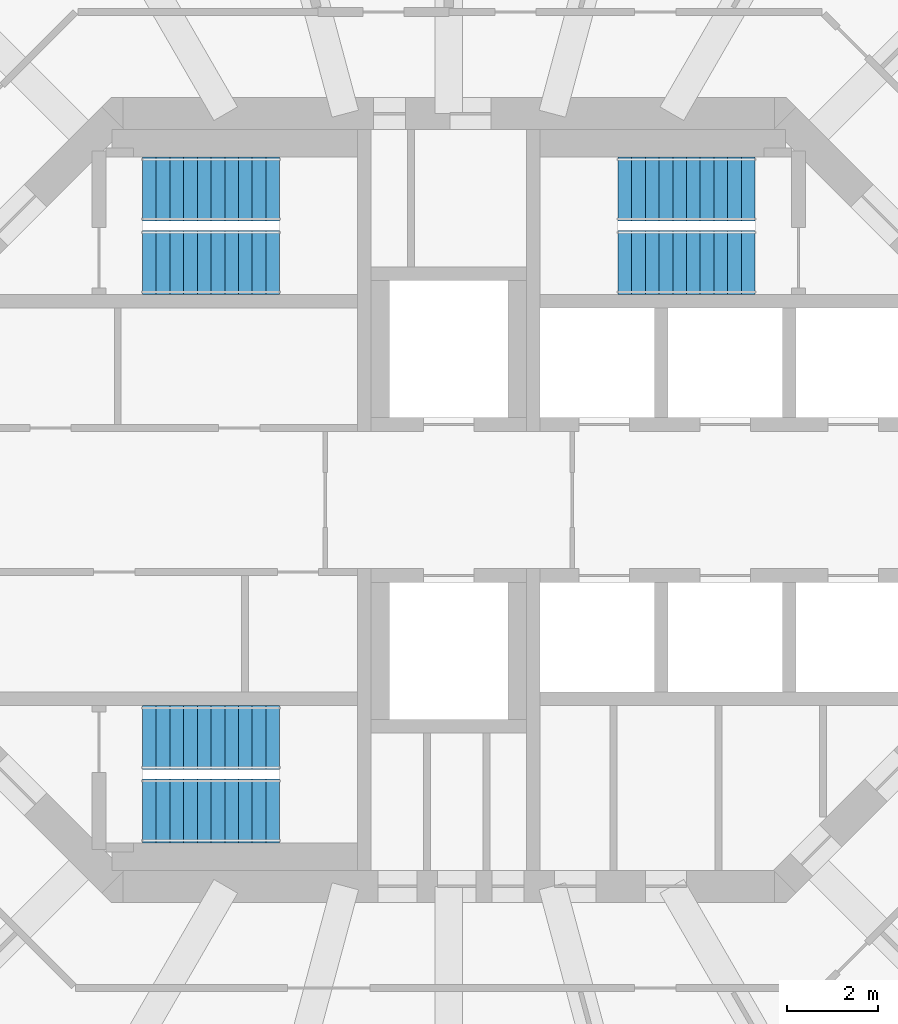
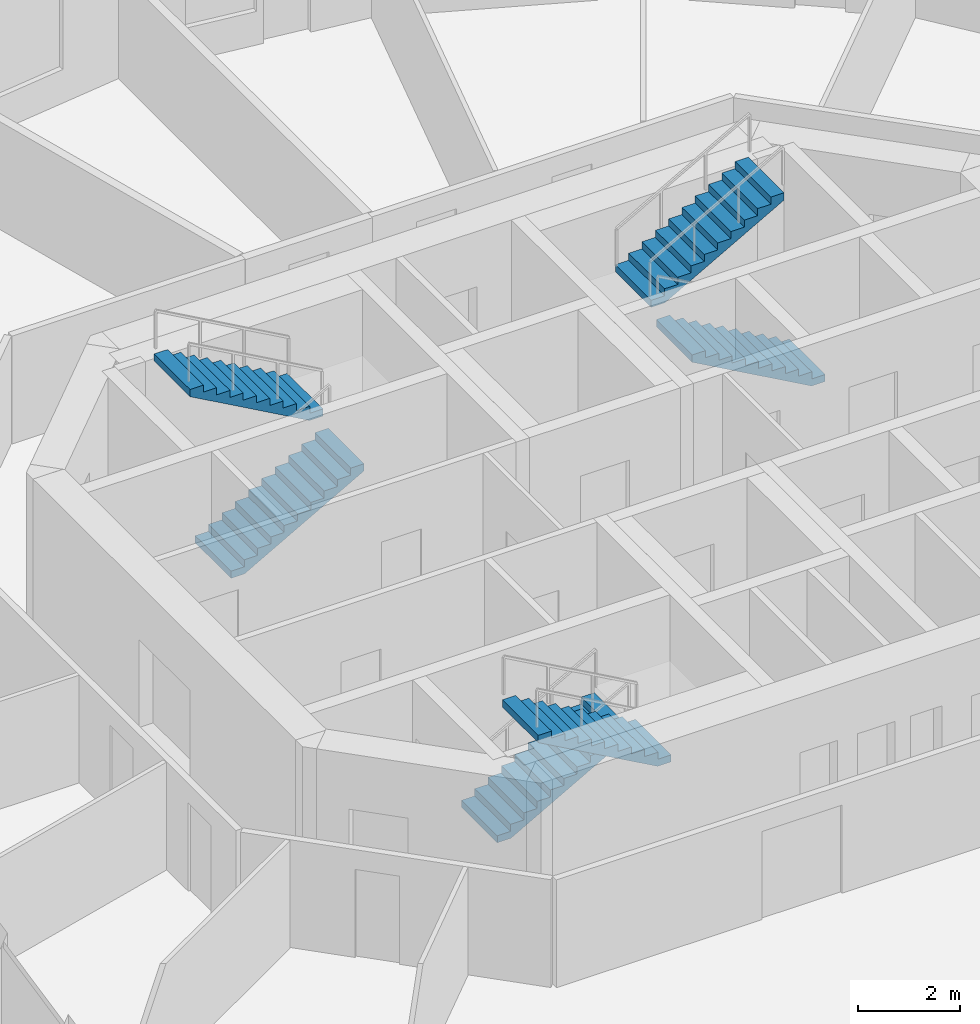
# One storey, part 7 of 9: 6 stair flights, 3 elements without a shape of their own.
"""IFC4 building model written with IfcOpenShell, lengths in metres."""

from ifc_helpers import new_model, si_unit, direction, frame, origin, place, context, subcontext, project, spatial, polyline, outline, extrude, material, type_object, element, aggregate, save


model = new_model("IFC4")

# Units and contexts
model_context = context("Model", 3, precision=1e-05, world=origin(), true_north=direction((0.0, 1.0)))
body_context = subcontext(model_context, "Body", "Model", "MODEL_VIEW")
ifc_project = project(units=[si_unit("LENGTHUNIT", "METRE"), si_unit("AREAUNIT", "SQUARE_METRE"), si_unit("VOLUMEUNIT", "CUBIC_METRE"), si_unit("PLANEANGLEUNIT", "RADIAN"), si_unit("MASSUNIT", "GRAM", prefix="KILO")], contexts=[model_context])

# Site, building, storey
site_placement = place(None, origin())
site = spatial("IfcSite", under=ifc_project, at=site_placement, CompositionType="ELEMENT")
building_placement = place(site_placement, origin())
building = spatial("IfcBuilding", under=site, at=building_placement, Name="Torre Triforio", CompositionType="ELEMENT")
storey_placement = place(building_placement, frame((0.0, 0.0, 229.800048828125)))
storey = spatial("IfcBuildingStorey", under=building, at=storey_placement, Name="L52", CompositionType="ELEMENT", Elevation=229.800048828125)

# Stair, stair flights
ifc_material = material(Name="Concrete C40", Category="concrete")
stair_type = type_object("IfcStairType", Name="STAIR HALF-TURN", PredefinedType="HALF_TURN_STAIR", material=ifc_material)
stair_1_placement = place(storey_placement, origin())
stair_1 = element("IfcStair", 1, at=stair_1_placement, inside=storey, type_object=stair_type, Name="Exit stair 1", PredefinedType="HALF_TURN_STAIR")
stair_flight_type = type_object("IfcStairFlightType", Name="STAIR FLIGHT 1400", PredefinedType="STRAIGHT", material=ifc_material)
stair_flight_1_placement = place(storey_placement, frame((-6.699951171875, 5.199951171875, 0.0), z_axis=(0.0, 0.0, 1.0), x_axis=(1.0, 0.0, 0.0)))
stair_flight_1 = element("IfcStairFlight", 2, at=stair_flight_1_placement, type_object=stair_flight_type, Name="ST1 flight 1", NumberOfRisers=11, NumberOfTreads=10, PredefinedType="STRAIGHT", RiserHeight=0.168181818, TreadLength=0.3, context=body_context, shape_type="SweptSolid", body=[
    extrude(outline(polyline([(0.0, 0.0), (0.0, 0.168212890625), (0.300048828125, 0.168212890625), (0.300048828125, 0.33642578125), (0.60009765625, 0.33642578125), (0.60009765625, 0.504638671875), (0.89990234375, 0.504638671875), (0.89990234375, 0.672607421875), (1.199951171875, 0.672607421875), (1.199951171875, 0.8408203125), (1.5, 0.8408203125), (1.5, 1.009033203125), (1.800048828125, 1.009033203125), (1.800048828125, 1.17724609375), (2.10009765625, 1.17724609375), (2.10009765625, 1.345458984375), (2.39990234375, 1.345458984375), (2.39990234375, 1.513671875), (2.699951171875, 1.513671875), (2.699951171875, 1.681884765625), (3.0, 1.681884765625), (3.0, 1.85009765625), (3.0, 1.510009765625), (0.306640625, 0.0), (0.0, 0.0)])), frame((0.0, 0.699951171875, 0.0), z_axis=(0.0, -1.0, 0.0), x_axis=(1.0, 0.0, 0.0)), (0.0, 0.0, 1.0), 1.39990234375),
])
stair_flight_2_placement = place(storey_placement, frame((-3.699951171875, 6.800048828125, 1.849853515625), z_axis=(0.0, 0.0, 1.0), x_axis=(-1.0, 0.0, 0.0)))
stair_flight_2 = element("IfcStairFlight", 3, at=stair_flight_2_placement, type_object=stair_flight_type, Name="ST1 flight 2", NumberOfRisers=11, NumberOfTreads=10, PredefinedType="STRAIGHT", RiserHeight=0.168181818, TreadLength=0.3, context=body_context, shape_type="SweptSolid", body=[
    extrude(outline(polyline([(0.0, 0.0), (0.0, 0.168212890625), (0.300048828125, 0.168212890625), (0.300048828125, 0.33642578125), (0.60009765625, 0.33642578125), (0.60009765625, 0.504638671875), (0.89990234375, 0.504638671875), (0.89990234375, 0.672607421875), (1.199951171875, 0.672607421875), (1.199951171875, 0.8408203125), (1.5, 0.8408203125), (1.5, 1.009033203125), (1.800048828125, 1.009033203125), (1.800048828125, 1.17724609375), (2.10009765625, 1.17724609375), (2.10009765625, 1.345458984375), (2.39990234375, 1.345458984375), (2.39990234375, 1.513671875), (2.699951171875, 1.513671875), (2.699951171875, 1.681884765625), (3.0, 1.681884765625), (3.0, 1.85009765625), (3.0, 1.510009765625), (0.306640625, 0.0), (0.0, 0.0)])), frame((0.0, 0.699951171875, 0.0), z_axis=(0.0, -1.0, 0.0), x_axis=(1.0, 0.0, 0.0)), (0.0, 0.0, 1.0), 1.39990234375),
])
aggregate(stair_1, [stair_flight_1, stair_flight_2])

stair_2_placement = place(storey_placement, origin())
stair_2 = element("IfcStair", 4, at=stair_2_placement, inside=storey, type_object=stair_type, Name="Exit stair 2", PredefinedType="HALF_TURN_STAIR")
stair_flight_3_placement = place(storey_placement, frame((6.699951171875, 5.199951171875, 0.0), z_axis=(0.0, 0.0, 1.0), x_axis=(-1.0, 0.0, 0.0)))
stair_flight_3 = element("IfcStairFlight", 5, at=stair_flight_3_placement, type_object=stair_flight_type, Name="ST2 flight 1", NumberOfRisers=11, NumberOfTreads=10, PredefinedType="STRAIGHT", RiserHeight=0.168181818, TreadLength=0.3, context=body_context, shape_type="SweptSolid", body=[
    extrude(outline(polyline([(0.0, 0.0), (0.0, 0.168212890625), (0.300048828125, 0.168212890625), (0.300048828125, 0.33642578125), (0.60009765625, 0.33642578125), (0.60009765625, 0.504638671875), (0.89990234375, 0.504638671875), (0.89990234375, 0.672607421875), (1.199951171875, 0.672607421875), (1.199951171875, 0.8408203125), (1.5, 0.8408203125), (1.5, 1.009033203125), (1.800048828125, 1.009033203125), (1.800048828125, 1.17724609375), (2.10009765625, 1.17724609375), (2.10009765625, 1.345458984375), (2.39990234375, 1.345458984375), (2.39990234375, 1.513671875), (2.699951171875, 1.513671875), (2.699951171875, 1.681884765625), (3.0, 1.681884765625), (3.0, 1.85009765625), (3.0, 1.510009765625), (0.306640625, 0.0), (0.0, 0.0)])), frame((0.0, 0.699951171875, 0.0), z_axis=(0.0, -1.0, 0.0), x_axis=(1.0, 0.0, 0.0)), (0.0, 0.0, 1.0), 1.39990234375),
])
stair_flight_4_placement = place(storey_placement, frame((3.699951171875, 6.800048828125, 1.849853515625), z_axis=(0.0, 0.0, 1.0), x_axis=(1.0, 0.0, 0.0)))
stair_flight_4 = element("IfcStairFlight", 6, at=stair_flight_4_placement, type_object=stair_flight_type, Name="ST2 flight 2", NumberOfRisers=11, NumberOfTreads=10, PredefinedType="STRAIGHT", RiserHeight=0.168181818, TreadLength=0.3, context=body_context, shape_type="SweptSolid", body=[
    extrude(outline(polyline([(0.0, 0.0), (0.0, 0.168212890625), (0.300048828125, 0.168212890625), (0.300048828125, 0.33642578125), (0.60009765625, 0.33642578125), (0.60009765625, 0.504638671875), (0.89990234375, 0.504638671875), (0.89990234375, 0.672607421875), (1.199951171875, 0.672607421875), (1.199951171875, 0.8408203125), (1.5, 0.8408203125), (1.5, 1.009033203125), (1.800048828125, 1.009033203125), (1.800048828125, 1.17724609375), (2.10009765625, 1.17724609375), (2.10009765625, 1.345458984375), (2.39990234375, 1.345458984375), (2.39990234375, 1.513671875), (2.699951171875, 1.513671875), (2.699951171875, 1.681884765625), (3.0, 1.681884765625), (3.0, 1.85009765625), (3.0, 1.510009765625), (0.306640625, 0.0), (0.0, 0.0)])), frame((0.0, 0.699951171875, 0.0), z_axis=(0.0, -1.0, 0.0), x_axis=(1.0, 0.0, 0.0)), (0.0, 0.0, 1.0), 1.39990234375),
])
aggregate(stair_2, [stair_flight_3, stair_flight_4])

stair_3_placement = place(storey_placement, origin())
stair_3 = element("IfcStair", 7, at=stair_3_placement, inside=storey, type_object=stair_type, Name="Exit stair 3", PredefinedType="HALF_TURN_STAIR")
stair_flight_5_placement = place(storey_placement, frame((-6.699951171875, -5.199951171875, 0.0), z_axis=(0.0, 0.0, 1.0), x_axis=(1.0, 0.0, 0.0)))
stair_flight_5 = element("IfcStairFlight", 8, at=stair_flight_5_placement, type_object=stair_flight_type, Name="ST3 flight 1", NumberOfRisers=11, NumberOfTreads=10, PredefinedType="STRAIGHT", RiserHeight=0.168181818, TreadLength=0.3, context=body_context, shape_type="SweptSolid", body=[
    extrude(outline(polyline([(0.0, 0.0), (0.0, 0.168212890625), (0.300048828125, 0.168212890625), (0.300048828125, 0.33642578125), (0.60009765625, 0.33642578125), (0.60009765625, 0.504638671875), (0.89990234375, 0.504638671875), (0.89990234375, 0.672607421875), (1.199951171875, 0.672607421875), (1.199951171875, 0.8408203125), (1.5, 0.8408203125), (1.5, 1.009033203125), (1.800048828125, 1.009033203125), (1.800048828125, 1.17724609375), (2.10009765625, 1.17724609375), (2.10009765625, 1.345458984375), (2.39990234375, 1.345458984375), (2.39990234375, 1.513671875), (2.699951171875, 1.513671875), (2.699951171875, 1.681884765625), (3.0, 1.681884765625), (3.0, 1.85009765625), (3.0, 1.510009765625), (0.306640625, 0.0), (0.0, 0.0)])), frame((0.0, 0.699951171875, 0.0), z_axis=(0.0, -1.0, 0.0), x_axis=(1.0, 0.0, 0.0)), (0.0, 0.0, 1.0), 1.39990234375),
])
stair_flight_6_placement = place(storey_placement, frame((-3.699951171875, -6.800048828125, 1.849853515625), z_axis=(0.0, 0.0, 1.0), x_axis=(-1.0, 0.0, 0.0)))
stair_flight_6 = element("IfcStairFlight", 9, at=stair_flight_6_placement, type_object=stair_flight_type, Name="ST3 flight 2", NumberOfRisers=11, NumberOfTreads=10, PredefinedType="STRAIGHT", RiserHeight=0.168181818, TreadLength=0.3, context=body_context, shape_type="SweptSolid", body=[
    extrude(outline(polyline([(0.0, 0.0), (0.0, 0.168212890625), (0.300048828125, 0.168212890625), (0.300048828125, 0.33642578125), (0.60009765625, 0.33642578125), (0.60009765625, 0.504638671875), (0.89990234375, 0.504638671875), (0.89990234375, 0.672607421875), (1.199951171875, 0.672607421875), (1.199951171875, 0.8408203125), (1.5, 0.8408203125), (1.5, 1.009033203125), (1.800048828125, 1.009033203125), (1.800048828125, 1.17724609375), (2.10009765625, 1.17724609375), (2.10009765625, 1.345458984375), (2.39990234375, 1.345458984375), (2.39990234375, 1.513671875), (2.699951171875, 1.513671875), (2.699951171875, 1.681884765625), (3.0, 1.681884765625), (3.0, 1.85009765625), (3.0, 1.510009765625), (0.306640625, 0.0), (0.0, 0.0)])), frame((0.0, 0.699951171875, 0.0), z_axis=(0.0, -1.0, 0.0), x_axis=(1.0, 0.0, 0.0)), (0.0, 0.0, 1.0), 1.39990234375),
])
aggregate(stair_3, [stair_flight_5, stair_flight_6])

save(model, "model.ifc")
